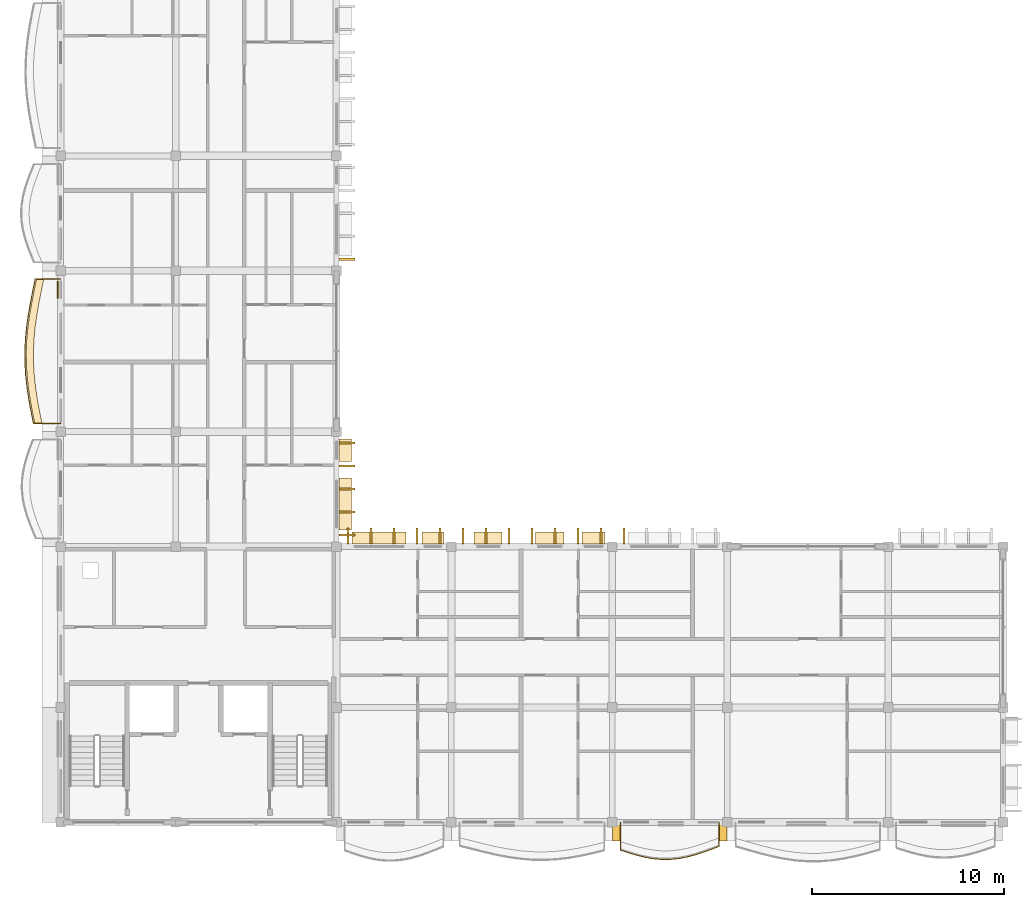
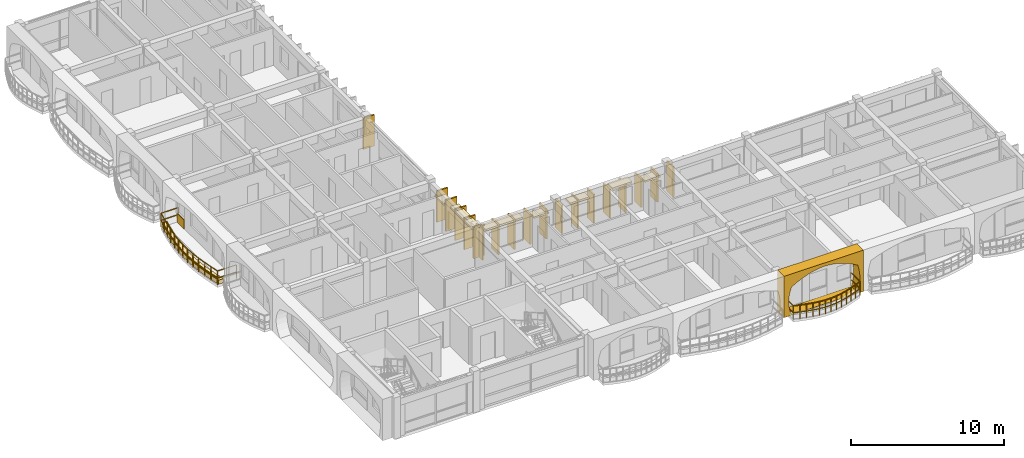
# One storey, part 49 of 68: 29 coverings, 2 railings.
"""IFC4 building model written with IfcOpenShell, lengths in metres."""

from ifc_helpers import new_model, si_unit, direction, frame, origin, origin_2d, place, context, subcontext, project, spatial, polyline, rectangle, outline, extrude, material, layer, layer_set, type_object, element, save


model = new_model("IFC4")

# Units and contexts
model_context = context("Model", 3, precision=1e-05, world=origin(), true_north=direction((0.0, 1.0)))
body_context = subcontext(model_context, "Body", "Model", "MODEL_VIEW")
ifc_project = project(units=[si_unit("LENGTHUNIT", "METRE"), si_unit("AREAUNIT", "SQUARE_METRE"), si_unit("VOLUMEUNIT", "CUBIC_METRE"), si_unit("PLANEANGLEUNIT", "RADIAN"), si_unit("MASSUNIT", "GRAM", prefix="KILO"), si_unit("THERMODYNAMICTEMPERATUREUNIT", "KELVIN")], contexts=[model_context])

# Site, building, storey
site_placement = place(None, origin())
site = spatial("IfcSite", under=ifc_project, at=site_placement, CompositionType="ELEMENT")
building_placement = place(site_placement, origin())
building = spatial("IfcBuilding", under=site, at=building_placement, Name="Thalorik Housing Commons", CompositionType="ELEMENT")
storey_placement = place(building_placement, frame((0.0, 0.0, 24.60009765625)))
storey = spatial("IfcBuildingStorey", under=building, at=storey_placement, Name="L07", CompositionType="ELEMENT", Elevation=24.60009765625)

# Coverings
ifc_material_1 = material(Name="Cobalt blue glazed ceramic facade tile panel", Category="masonry")
ifc_layer_1 = layer(ifc_material_1, 0.06005859375, Name="Cobalt blue glazed ceramic facade tile panel", Category="masonry")
ifc_layer_set_1 = layer_set([ifc_layer_1], Name="Cobalt blue glazed ceramic facade tile panel")
covering_type_1 = type_object("IfcCoveringType", Name="ARC-CLD-BLU-60", PredefinedType="CLADDING", material=ifc_layer_set_1)
covering_1_placement = place(storey_placement, frame((8.242431640625, 36.2099609375, 0.0498046875), z_axis=(0.0, 0.0, 1.0), x_axis=(0.0, -1.0, 0.0)))
element("IfcCovering", 1, at=covering_1_placement, inside=storey, type_object=covering_type_1, Name="L07 De Stijl Recessed Window Spandrel 4205", PredefinedType="CLADDING", context=body_context, shape_type="SweptSolid", body=[
    extrude(rectangle(XDim=0.89990234375, YDim=0.06005859375, at=origin_2d()), origin(), (0.0, 0.0, 1.0), 0.699951171875),
])
ifc_material_2 = material(Name="Precast concrete C40/50", Category="concrete")
ifc_layer_2 = layer(ifc_material_2, 0.85009765625, Name="Precast concrete C40/50", Category="concrete")
ifc_layer_set_2 = layer_set([ifc_layer_2], Name="Precast concrete C40/50")
covering_type_2 = type_object("IfcCoveringType", Name="ARC-CLD-CUSH-850", PredefinedType="CLADDING", material=ifc_layer_set_2)
covering_2_placement = place(storey_placement, frame((40.199951171875, 7.8525390625, 0.0), z_axis=(0.0, 0.0, 1.0), x_axis=(1.0, 0.0, 0.0)))
element("IfcCovering", 2, at=covering_2_placement, inside=storey, type_object=covering_type_2, Name="L07 White Precast Curved Cushion Bay Frame 4216", PredefinedType="CLADDING", context=body_context, shape_type="SweptSolid", body=[
    extrude(outline(polyline([(-3.0, 0.0), (3.0, 0.0), (3.0, 3.300048828125), (-3.0, 3.300048828125), (-3.0, 0.0)]), holes=[polyline([(2.574951171875, 0.02490234375), (2.664794921875, 0.394287109375), (2.718505859375, 0.76318359375), (2.736572265625, 1.132568359375), (2.718505859375, 1.501708984375), (2.664794921875, 1.870849609375), (2.574951171875, 2.239990234375), (2.157958984375, 2.4833984375), (1.74072265625, 2.6748046875), (1.32373046875, 2.82958984375), (0.90673828125, 2.94482421875), (0.489501953125, 3.01611328125), (0.072509765625, 3.0400390625), (-0.344482421875, 3.01611328125), (-0.76171875, 2.94482421875), (-1.1787109375, 2.82958984375), (-1.595703125, 2.6748046875), (-2.012939453125, 2.4833984375), (-2.429931640625, 2.239990234375), (-2.55029296875, 1.870849609375), (-2.62255859375, 1.501708984375), (-2.646484375, 1.132568359375), (-2.62255859375, 0.76318359375), (-2.55029296875, 0.394287109375), (-2.429931640625, 0.02490234375), (2.574951171875, 0.02490234375)])]), frame((0.0, 0.425048828125, 0.0), z_axis=(0.0, -1.0, 0.0), x_axis=(1.0, 0.0, 0.0)), (0.0, 0.0, 1.0), 0.85009765625),
])
ifc_layer_3 = layer(ifc_material_2, 0.85009765625, Name="Precast concrete C40/50", Category="concrete")
ifc_layer_set_3 = layer_set([ifc_layer_3], Name="Precast concrete C40/50")
covering_type_3 = type_object("IfcCoveringType", Name="ARC-CLD-FIN-850", PredefinedType="CLADDING", material=ifc_layer_set_3)
for number, where, z_axis, x_axis, name in (
    (3, (23.347412109375, 23.39990234375, 0.039794921875), (0.0, 0.0, 1.0), (0.0, 1.0, 0.0), "L07 Courtyard Precast Vertical Brise-Soleil Fin 4157"),
    (4, (23.347412109375, 24.60009765625, 0.039794921875), (0.0, 0.0, 1.0), (0.0, 1.0, 0.0), "L07 Courtyard Precast Vertical Brise-Soleil Fin 4158"),
    (5, (23.347412109375, 25.800048828125, 0.039794921875), (0.0, 0.0, 1.0), (0.0, 1.0, 0.0), "L07 Courtyard Precast Vertical Brise-Soleil Fin 4159"),
    (6, (23.347412109375, 27.0, 0.039794921875), (0.0, 0.0, 1.0), (0.0, 1.0, 0.0), "L07 Courtyard Precast Vertical Brise-Soleil Fin 4160"),
    (7, (23.347412109375, 28.199951171875, 0.039794921875), (0.0, 0.0, 1.0), (0.0, 1.0, 0.0), "L07 Courtyard Precast Vertical Brise-Soleil Fin 4161"),
    (8, (23.347412109375, 37.800048828125, 0.039794921875), (0.0, 0.0, 1.0), (0.0, 1.0, 0.0), "L07 Courtyard Precast Vertical Brise-Soleil Fin 4164"),
):
    element("IfcCovering", number, at=place(storey_placement, frame(where, z_axis=z_axis, x_axis=x_axis)), inside=storey, type_object=covering_type_3, Name=name, PredefinedType="CLADDING", context=body_context, shape_type="SweptSolid", body=[
        extrude(rectangle(XDim=0.110107421875, YDim=0.85009765625, at=origin_2d()), origin(), (0.0, 0.0, 1.0), 2.4951171875),
    ])
covering_3_placement = place(storey_placement, frame((37.800048828125, 23.347412109375, 0.039794921875), z_axis=(0.0, 0.0, 1.0), x_axis=(-1.0, 0.0, 0.0)))
element("IfcCovering", 9, at=covering_3_placement, inside=storey, type_object=covering_type_3, Name="L07 Courtyard Precast Vertical Brise-Soleil Fin 4240", PredefinedType="CLADDING", context=body_context, shape_type="SweptSolid", body=[
    extrude(rectangle(XDim=0.110107421875, YDim=0.85009765625, at=origin_2d()), origin(), (0.0, 0.0, 1.0), 2.39501953125),
])
for number, where, z_axis, x_axis, name in (
    (10, (36.60009765625, 23.347412109375, 0.0400390625), (0.0, 0.0, 1.0), (-1.0, 0.0, 0.0), "L07 Courtyard Precast Vertical Brise-Soleil Fin 4243"),
    (11, (35.39990234375, 23.347412109375, 0.0400390625), (0.0, 0.0, 1.0), (-1.0, 0.0, 0.0), "L07 Courtyard Precast Vertical Brise-Soleil Fin 4244"),
    (12, (34.199951171875, 23.347412109375, 0.0400390625), (0.0, 0.0, 1.0), (-1.0, 0.0, 0.0), "L07 Courtyard Precast Vertical Brise-Soleil Fin 4245"),
    (13, (33.0, 23.347412109375, 0.0400390625), (0.0, 0.0, 1.0), (-1.0, 0.0, 0.0), "L07 Courtyard Precast Vertical Brise-Soleil Fin 4246"),
    (14, (31.800048828125, 23.347412109375, 0.0400390625), (0.0, 0.0, 1.0), (-1.0, 0.0, 0.0), "L07 Courtyard Precast Vertical Brise-Soleil Fin 4247"),
    (15, (30.60009765625, 23.347412109375, 0.0400390625), (0.0, 0.0, 1.0), (-1.0, 0.0, 0.0), "L07 Courtyard Precast Vertical Brise-Soleil Fin 4248"),
    (16, (29.39990234375, 23.347412109375, 0.0400390625), (0.0, 0.0, 1.0), (-1.0, 0.0, 0.0), "L07 Courtyard Precast Vertical Brise-Soleil Fin 4249"),
):
    element("IfcCovering", number, at=place(storey_placement, frame(where, z_axis=z_axis, x_axis=x_axis)), inside=storey, type_object=covering_type_3, Name=name, PredefinedType="CLADDING", context=body_context, shape_type="SweptSolid", body=[
        extrude(rectangle(XDim=0.110107421875, YDim=0.85009765625, at=origin_2d()), origin(), (0.0, 0.0, 1.0), 2.294921875),
    ])
for number, where, z_axis, x_axis, name in (
    (17, (28.199951171875, 23.347412109375, 0.039794921875), (0.0, 0.0, 1.0), (-1.0, 0.0, 0.0), "L07 Courtyard Precast Vertical Brise-Soleil Fin 4253"),
    (18, (27.0, 23.347412109375, 0.039794921875), (0.0, 0.0, 1.0), (-1.0, 0.0, 0.0), "L07 Courtyard Precast Vertical Brise-Soleil Fin 4254"),
    (19, (25.800048828125, 23.347412109375, 0.039794921875), (0.0, 0.0, 1.0), (-1.0, 0.0, 0.0), "L07 Courtyard Precast Vertical Brise-Soleil Fin 4255"),
    (20, (24.60009765625, 23.347412109375, 0.039794921875), (0.0, 0.0, 1.0), (-1.0, 0.0, 0.0), "L07 Courtyard Precast Vertical Brise-Soleil Fin 4256"),
    (21, (23.39990234375, 23.347412109375, 0.039794921875), (0.0, 0.0, 1.0), (-1.0, 0.0, 0.0), "L07 Courtyard Precast Vertical Brise-Soleil Fin 4257"),
):
    element("IfcCovering", number, at=place(storey_placement, frame(where, z_axis=z_axis, x_axis=x_axis)), inside=storey, type_object=covering_type_3, Name=name, PredefinedType="CLADDING", context=body_context, shape_type="SweptSolid", body=[
        extrude(rectangle(XDim=0.110107421875, YDim=0.85009765625, at=origin_2d()), origin(), (0.0, 0.0, 1.0), 2.39501953125),
    ])
ifc_layer_4 = layer(ifc_material_2, 0.64990234375, Name="Precast concrete C40/50", Category="concrete")
ifc_layer_set_4 = layer_set([ifc_layer_4], Name="Precast concrete C40/50")
covering_type_4 = type_object("IfcCoveringType", Name="ARC-CLD-HOOD-650", PredefinedType="CLADDING", material=ifc_layer_set_4)
covering_4_placement = place(storey_placement, frame((23.24755859375, 25.019775390625, 2.25), z_axis=(0.0, 0.0, 1.0), x_axis=(0.0, 1.0, 0.0)))
element("IfcCovering", 22, at=covering_4_placement, inside=storey, type_object=covering_type_4, Name="L07 Courtyard Precast Window Sun-Hood 4162", PredefinedType="CLADDING", context=body_context, shape_type="SweptSolid", body=[
    extrude(rectangle(XDim=2.719970703125, YDim=0.64990234375, at=origin_2d()), origin(), (0.0, 0.0, 1.0), 0.139892578125),
])
for number, where, z_axis, x_axis, name in (
    (23, (23.24755859375, 27.829833984375, 1.93994140625), (0.0, 0.0, 1.0), (0.0, 1.0, 0.0), "L07 Courtyard Precast Window Sun-Hood 4163"),
    (24, (36.220458984375, 23.24755859375, 1.93994140625), (0.0, 0.0, 1.0), (-1.0, 0.0, 0.0), "L07 Courtyard Precast Window Sun-Hood 4250"),
):
    element("IfcCovering", number, at=place(storey_placement, frame(where, z_axis=z_axis, x_axis=x_axis)), inside=storey, type_object=covering_type_4, Name=name, PredefinedType="CLADDING", context=body_context, shape_type="SweptSolid", body=[
        extrude(rectangle(XDim=1.18994140625, YDim=0.64990234375, at=origin_2d()), origin(), (0.0, 0.0, 1.0), 0.139892578125),
    ])
covering_5_placement = place(storey_placement, frame((33.930419921875, 23.24755859375, 2.22509765625), z_axis=(0.0, 0.0, 1.0), x_axis=(-1.0, 0.0, 0.0)))
element("IfcCovering", 25, at=covering_5_placement, inside=storey, type_object=covering_type_4, Name="L07 Courtyard Precast Window Sun-Hood 4251", PredefinedType="CLADDING", context=body_context, shape_type="SweptSolid", body=[
    extrude(rectangle(XDim=1.489990234375, YDim=0.64990234375, at=origin_2d()), origin(), (0.0, 0.0, 1.0), 0.139892578125),
])
covering_6_placement = place(storey_placement, frame((30.7099609375, 23.24755859375, 2.14013671875), z_axis=(0.0, 0.0, 1.0), x_axis=(-1.0, 0.0, 0.0)))
element("IfcCovering", 26, at=covering_6_placement, inside=storey, type_object=covering_type_4, Name="L07 Courtyard Precast Window Sun-Hood 4252", PredefinedType="CLADDING", context=body_context, shape_type="SweptSolid", body=[
    extrude(rectangle(XDim=1.43994140625, YDim=0.64990234375, at=origin_2d()), origin(), (0.0, 0.0, 1.0), 0.139892578125),
])
covering_7_placement = place(storey_placement, frame((27.829833984375, 23.24755859375, 1.98974609375), z_axis=(0.0, 0.0, 1.0), x_axis=(-1.0, 0.0, 0.0)))
element("IfcCovering", 27, at=covering_7_placement, inside=storey, type_object=covering_type_4, Name="L07 Courtyard Precast Window Sun-Hood 4258", PredefinedType="CLADDING", context=body_context, shape_type="SweptSolid", body=[
    extrude(rectangle(XDim=1.139892578125, YDim=0.64990234375, at=origin_2d()), origin(), (0.0, 0.0, 1.0), 0.139892578125),
])
covering_8_placement = place(storey_placement, frame((25.019775390625, 23.24755859375, 2.27001953125), z_axis=(0.0, 0.0, 1.0), x_axis=(-1.0, 0.0, 0.0)))
element("IfcCovering", 28, at=covering_8_placement, inside=storey, type_object=covering_type_4, Name="L07 Courtyard Precast Window Sun-Hood 4259", PredefinedType="CLADDING", context=body_context, shape_type="SweptSolid", body=[
    extrude(rectangle(XDim=2.820068359375, YDim=0.64990234375, at=origin_2d()), origin(), (0.0, 0.0, 1.0), 0.139892578125),
])
ifc_material_3 = material(Name="Planted vegetated substrate and terracotta trough", Category="masonry")
ifc_layer_5 = layer(ifc_material_3, 0.340087890625, Name="Planted vegetated substrate and terracotta trough", Category="masonry")
ifc_layer_set_5 = layer_set([ifc_layer_5], Name="Planted vegetated substrate and terracotta trough")
covering_type_5 = type_object("IfcCoveringType", Name="ARC-COV-PLANTER", PredefinedType="USERDEFINED", material=ifc_layer_set_5)
covering_9_placement = place(storey_placement, origin())
element("IfcCovering", 29, at=covering_9_placement, inside=storey, type_object=covering_type_5, Name="L07 Balcony Slab-Edge Planted Trough 5618", ObjectType="PLANTER", PredefinedType="USERDEFINED", context=body_context, shape_type="SweptSolid", body=[
    extrude(outline(polyline([(7.1376953125, 36.780029296875), (7.0087890625, 36.14990234375), (6.885498046875, 35.52001953125), (6.7763671875, 34.889892578125), (6.6884765625, 34.260009765625), (6.6279296875, 33.6298828125), (6.598876953125, 33.0), (6.603271484375, 32.3701171875), (6.640869140625, 31.739990234375), (6.70947265625, 31.110107421875), (6.80419921875, 30.47998046875), (6.91943359375, 29.85009765625), (7.047119140625, 29.219970703125), (7.427001953125, 29.219970703125), (7.29931640625, 29.85009765625), (7.184326171875, 30.47998046875), (7.08935546875, 31.110107421875), (7.02099609375, 31.739990234375), (6.9833984375, 32.3701171875), (6.97900390625, 33.0), (7.008056640625, 33.6298828125), (7.068603515625, 34.260009765625), (7.15625, 34.889892578125), (7.265380859375, 35.52001953125), (7.388671875, 36.14990234375), (7.517822265625, 36.780029296875), (7.1376953125, 36.780029296875)])), origin(), (0.0, 0.0, 1.0), 0.33984375),
])

# Railings
ifc_material_4 = material(Name="Steel S355", Category="steel")
railing_type = type_object("IfcRailingType", Name="ARC-RL-BAL-112", PredefinedType="BALUSTRADE", material=ifc_material_4)
railing_1_placement = place(storey_placement, frame((8.39990234375, 36.780029296875, 0.0)))
element("IfcRailing", 30, at=railing_1_placement, inside=storey, type_object=railing_type, Name="L07 Cushion Balcony Guardrail 302", PredefinedType="BALUSTRADE", context=body_context, shape_type="SweptSolid", body=[
    extrude(rectangle(XDim=0.050048828125, YDim=0.050048828125, at=origin_2d()), frame((0.0, 0.0, 1.09521484375), z_axis=(-1.0, 0.0, 0.0), x_axis=(0.0, -1.0, 0.0)), (0.0, 0.0, 1.0), 1.33203125),
    extrude(rectangle(XDim=0.050048828125, YDim=0.050048828125, at=origin_2d()), frame((0.0, 0.0, 0.53515625), z_axis=(-1.0, 0.0, 0.0), x_axis=(0.0, -1.0, 0.0)), (0.0, 0.0, 1.0), 1.33203125),
    extrude(rectangle(XDim=0.050048828125, YDim=0.050048828125, at=origin_2d()), frame((-1.33203125, 0.0, 1.09521484375), z_axis=(-0.200785373927, -0.979635255397, 0.0), x_axis=(0.979635255397, -0.200785373927, 0.0)), (0.0, 0.0, 1.0), 0.643310546875),
    extrude(rectangle(XDim=0.050048828125, YDim=0.050048828125, at=origin_2d()), frame((-1.33203125, 0.0, 0.53515625), z_axis=(-0.200785373927, -0.979635255397, 0.0), x_axis=(0.979635255397, -0.200785373927, 0.0)), (0.0, 0.0, 1.0), 0.643310546875),
    extrude(rectangle(XDim=0.050048828125, YDim=0.050048828125, at=origin_2d()), frame((-1.461181640625, -0.630126953125, 1.09521484375), z_axis=(-0.192091248087, -0.981377069433, 0.0), x_axis=(0.981377069433, -0.192091248087, 0.0)), (0.0, 0.0, 1.0), 0.641845703125),
    extrude(rectangle(XDim=0.050048828125, YDim=0.050048828125, at=origin_2d()), frame((-1.461181640625, -0.630126953125, 0.53515625), z_axis=(-0.192091248087, -0.981377069433, 0.0), x_axis=(0.981377069433, -0.192091248087, 0.0)), (0.0, 0.0, 1.0), 0.641845703125),
    extrude(rectangle(XDim=0.050048828125, YDim=0.050048828125, at=origin_2d()), frame((-1.58447265625, -1.260009765625, 1.09521484375), z_axis=(-0.170648353941, -0.985331994455, 0.0), x_axis=(0.985331994455, -0.170648353941, 0.0)), (0.0, 0.0, 1.0), 0.639404296875),
    extrude(rectangle(XDim=0.050048828125, YDim=0.050048828125, at=origin_2d()), frame((-1.58447265625, -1.260009765625, 0.53515625), z_axis=(-0.170648353941, -0.985331994455, 0.0), x_axis=(0.985331994455, -0.170648353941, 0.0)), (0.0, 0.0, 1.0), 0.639404296875),
    extrude(rectangle(XDim=0.050048828125, YDim=0.050048828125, at=origin_2d()), frame((-1.693603515625, -1.89013671875, 1.09521484375), z_axis=(-0.138196031911, -0.990404895365, 0.0), x_axis=(0.990404895365, -0.138196031911, 0.0)), (0.0, 0.0, 1.0), 0.635986328125),
    extrude(rectangle(XDim=0.050048828125, YDim=0.050048828125, at=origin_2d()), frame((-1.693603515625, -1.89013671875, 0.53515625), z_axis=(-0.138196031911, -0.990404895365, 0.0), x_axis=(0.990404895365, -0.138196031911, 0.0)), (0.0, 0.0, 1.0), 0.635986328125),
    extrude(rectangle(XDim=0.050048828125, YDim=0.050048828125, at=origin_2d()), frame((-1.781494140625, -2.52001953125, 1.09521484375), z_axis=(-0.095264103918, -0.995452033252, 0.0), x_axis=(0.995452033252, -0.095264103918, 0.0)), (0.0, 0.0, 1.0), 0.633056640625),
    extrude(rectangle(XDim=0.050048828125, YDim=0.050048828125, at=origin_2d()), frame((-1.781494140625, -2.52001953125, 0.53515625), z_axis=(-0.095264103918, -0.995452033252, 0.0), x_axis=(0.995452033252, -0.095264103918, 0.0)), (0.0, 0.0, 1.0), 0.633056640625),
    extrude(rectangle(XDim=0.050048828125, YDim=0.050048828125, at=origin_2d()), frame((-1.841796875, -3.150146484375, 1.09521484375), z_axis=(-0.046461399352, -0.998920086078, 0.0), x_axis=(0.998920086078, -0.046461399352, 0.0)), (0.0, 0.0, 1.0), 0.630615234375),
    extrude(rectangle(XDim=0.050048828125, YDim=0.050048828125, at=origin_2d()), frame((-1.841796875, -3.150146484375, 0.53515625), z_axis=(-0.046461399352, -0.998920086078, 0.0), x_axis=(0.998920086078, -0.046461399352, 0.0)), (0.0, 0.0, 1.0), 0.630615234375),
    extrude(rectangle(XDim=0.050048828125, YDim=0.050048828125, at=origin_2d()), frame((-1.87109375, -3.780029296875, 1.09521484375), z_axis=(0.006976574396, -0.999975663409, 0.0), x_axis=(0.999975663409, 0.006976574396, 0.0)), (0.0, 0.0, 1.0), 0.6298828125),
    extrude(rectangle(XDim=0.050048828125, YDim=0.050048828125, at=origin_2d()), frame((-1.87109375, -3.780029296875, 0.53515625), z_axis=(0.006976574396, -0.999975663409, 0.0), x_axis=(0.999975663409, 0.006976574396, 0.0)), (0.0, 0.0, 1.0), 0.6298828125),
    extrude(rectangle(XDim=0.050048828125, YDim=0.050048828125, at=origin_2d()), frame((-1.86669921875, -4.409912109375, 1.09521484375), z_axis=(0.059560867898, -0.998224675619, 0.0), x_axis=(0.998224675619, 0.059560867898, 0.0)), (0.0, 0.0, 1.0), 0.63134765625),
    extrude(rectangle(XDim=0.050048828125, YDim=0.050048828125, at=origin_2d()), frame((-1.86669921875, -4.409912109375, 0.53515625), z_axis=(0.059560867898, -0.998224675619, 0.0), x_axis=(0.998224675619, 0.059560867898, 0.0)), (0.0, 0.0, 1.0), 0.63134765625),
    extrude(rectangle(XDim=0.050048828125, YDim=0.050048828125, at=origin_2d()), frame((-1.8291015625, -5.0400390625, 1.09521484375), z_axis=(0.108274423732, -0.994121043518, 0.0), x_axis=(0.994121043518, 0.108274423732, 0.0)), (0.0, 0.0, 1.0), 0.633544921875),
    extrude(rectangle(XDim=0.050048828125, YDim=0.050048828125, at=origin_2d()), frame((-1.8291015625, -5.0400390625, 0.53515625), z_axis=(0.108274423732, -0.994121043518, 0.0), x_axis=(0.994121043518, 0.108274423732, 0.0)), (0.0, 0.0, 1.0), 0.633544921875),
    extrude(rectangle(XDim=0.050048828125, YDim=0.050048828125, at=origin_2d()), frame((-1.760498046875, -5.669921875, 1.09521484375), z_axis=(0.149033591629, -0.988832133664, 0.0), x_axis=(0.988832133664, 0.149033591629, 0.0)), (0.0, 0.0, 1.0), 0.63720703125),
    extrude(rectangle(XDim=0.050048828125, YDim=0.050048828125, at=origin_2d()), frame((-1.760498046875, -5.669921875, 0.53515625), z_axis=(0.149033591629, -0.988832133664, 0.0), x_axis=(0.988832133664, 0.149033591629, 0.0)), (0.0, 0.0, 1.0), 0.63720703125),
    extrude(rectangle(XDim=0.050048828125, YDim=0.050048828125, at=origin_2d()), frame((-1.66552734375, -6.300048828125, 1.09521484375), z_axis=(0.1795900258, -0.983741542598, 0.0), x_axis=(0.983741542598, 0.1795900258, 0.0)), (0.0, 0.0, 1.0), 0.640380859375),
    extrude(rectangle(XDim=0.050048828125, YDim=0.050048828125, at=origin_2d()), frame((-1.66552734375, -6.300048828125, 0.53515625), z_axis=(0.1795900258, -0.983741542598, 0.0), x_axis=(0.983741542598, 0.1795900258, 0.0)), (0.0, 0.0, 1.0), 0.640380859375),
    extrude(rectangle(XDim=0.050048828125, YDim=0.050048828125, at=origin_2d()), frame((-1.550537109375, -6.929931640625, 1.09521484375), z_axis=(0.198598350989, -0.980080963484, 0.0), x_axis=(0.980080963484, 0.198598350989, 0.0)), (0.0, 0.0, 1.0), 0.642822265625),
    extrude(rectangle(XDim=0.050048828125, YDim=0.050048828125, at=origin_2d()), frame((-1.550537109375, -6.929931640625, 0.53515625), z_axis=(0.198598350989, -0.980080963484, 0.0), x_axis=(0.980080963484, 0.198598350989, 0.0)), (0.0, 0.0, 1.0), 0.642822265625),
    extrude(rectangle(XDim=0.050048828125, YDim=0.050048828125, at=origin_2d()), frame((-1.4228515625, -7.56005859375, 1.09521484375), z_axis=(1.0, 0.0, 0.0), x_axis=(0.0, 1.0, 0.0)), (0.0, 0.0, 1.0), 1.4228515625),
    extrude(rectangle(XDim=0.050048828125, YDim=0.050048828125, at=origin_2d()), frame((-1.4228515625, -7.56005859375, 0.53515625), z_axis=(1.0, 0.0, 0.0), x_axis=(0.0, 1.0, 0.0)), (0.0, 0.0, 1.0), 1.4228515625),
    extrude(rectangle(XDim=0.0419921875, YDim=0.0419921875, at=origin_2d()), origin(), (0.0, 0.0, 1.0), 1.070068359375),
    extrude(rectangle(XDim=0.0419921875, YDim=0.0419921875, at=origin_2d()), frame((-1.33203125, 0.0, 0.0)), (0.0, 0.0, 1.0), 1.070068359375),
    extrude(rectangle(XDim=0.0419921875, YDim=0.0419921875, at=origin_2d()), frame((-1.461181640625, -0.630126953125, 0.0)), (0.0, 0.0, 1.0), 1.070068359375),
    extrude(rectangle(XDim=0.0419921875, YDim=0.0419921875, at=origin_2d()), frame((-1.58447265625, -1.260009765625, 0.0)), (0.0, 0.0, 1.0), 1.070068359375),
    extrude(rectangle(XDim=0.0419921875, YDim=0.0419921875, at=origin_2d()), frame((-1.693603515625, -1.89013671875, 0.0)), (0.0, 0.0, 1.0), 1.070068359375),
    extrude(rectangle(XDim=0.0419921875, YDim=0.0419921875, at=origin_2d()), frame((-1.781494140625, -2.52001953125, 0.0)), (0.0, 0.0, 1.0), 1.070068359375),
    extrude(rectangle(XDim=0.0419921875, YDim=0.0419921875, at=origin_2d()), frame((-1.841796875, -3.150146484375, 0.0)), (0.0, 0.0, 1.0), 1.070068359375),
    extrude(rectangle(XDim=0.0419921875, YDim=0.0419921875, at=origin_2d()), frame((-1.87109375, -3.780029296875, 0.0)), (0.0, 0.0, 1.0), 1.070068359375),
    extrude(rectangle(XDim=0.0419921875, YDim=0.0419921875, at=origin_2d()), frame((-1.86669921875, -4.409912109375, 0.0)), (0.0, 0.0, 1.0), 1.070068359375),
    extrude(rectangle(XDim=0.0419921875, YDim=0.0419921875, at=origin_2d()), frame((-1.8291015625, -5.0400390625, 0.0)), (0.0, 0.0, 1.0), 1.070068359375),
    extrude(rectangle(XDim=0.0419921875, YDim=0.0419921875, at=origin_2d()), frame((-1.760498046875, -5.669921875, 0.0)), (0.0, 0.0, 1.0), 1.070068359375),
    extrude(rectangle(XDim=0.0419921875, YDim=0.0419921875, at=origin_2d()), frame((-1.66552734375, -6.300048828125, 0.0)), (0.0, 0.0, 1.0), 1.070068359375),
    extrude(rectangle(XDim=0.0419921875, YDim=0.0419921875, at=origin_2d()), frame((-1.550537109375, -6.929931640625, 0.0)), (0.0, 0.0, 1.0), 1.070068359375),
    extrude(rectangle(XDim=0.0419921875, YDim=0.0419921875, at=origin_2d()), frame((-1.4228515625, -7.56005859375, 0.0)), (0.0, 0.0, 1.0), 1.070068359375),
    extrude(rectangle(XDim=0.0419921875, YDim=0.0419921875, at=origin_2d()), frame((0.0, -7.56005859375, 0.0)), (0.0, 0.0, 1.0), 1.070068359375),
])
railing_2_placement = place(storey_placement, frame((37.6201171875, 8.39990234375, 0.0)))
element("IfcRailing", 31, at=railing_2_placement, inside=storey, type_object=railing_type, Name="L07 Cushion Balcony Guardrail 308", PredefinedType="BALUSTRADE", context=body_context, shape_type="SweptSolid", body=[
    extrude(rectangle(XDim=0.050048828125, YDim=0.050048828125, at=origin_2d()), frame((0.0, 0.0, 1.09521484375), z_axis=(0.0, -1.0, 0.0), x_axis=(1.0, 0.0, 0.0)), (0.0, 0.0, 1.0), 1.448486328125),
    extrude(rectangle(XDim=0.050048828125, YDim=0.050048828125, at=origin_2d()), frame((0.0, 0.0, 0.53515625), z_axis=(0.0, -1.0, 0.0), x_axis=(1.0, 0.0, 0.0)), (0.0, 0.0, 1.0), 1.448486328125),
    extrude(rectangle(XDim=0.050048828125, YDim=0.050048828125, at=origin_2d()), frame((0.0, -1.448486328125, 1.09521484375), z_axis=(0.950449331157, -0.310879508658, 0.0), x_axis=(0.310879508658, 0.950449331157, 0.0)), (0.0, 0.0, 1.0), 0.452392578125),
    extrude(rectangle(XDim=0.050048828125, YDim=0.050048828125, at=origin_2d()), frame((0.0, -1.448486328125, 0.53515625), z_axis=(0.950449331157, -0.310879508658, 0.0), x_axis=(0.310879508658, 0.950449331157, 0.0)), (0.0, 0.0, 1.0), 0.452392578125),
    extrude(rectangle(XDim=0.050048828125, YDim=0.050048828125, at=origin_2d()), frame((0.429931640625, -1.589111328125, 1.09521484375), z_axis=(0.958765151286, -0.284199550807, 0.0), x_axis=(0.284199550807, 0.958765151286, 0.0)), (0.0, 0.0, 1.0), 0.448486328125),
    extrude(rectangle(XDim=0.050048828125, YDim=0.050048828125, at=origin_2d()), frame((0.429931640625, -1.589111328125, 0.53515625), z_axis=(0.958765151286, -0.284199550807, 0.0), x_axis=(0.284199550807, 0.958765151286, 0.0)), (0.0, 0.0, 1.0), 0.448486328125),
    extrude(rectangle(XDim=0.050048828125, YDim=0.050048828125, at=origin_2d()), frame((0.85986328125, -1.716552734375, 1.09521484375), z_axis=(0.971331111788, -0.237730669609, 0.0), x_axis=(0.237730669609, 0.971331111788, 0.0)), (0.0, 0.0, 1.0), 0.442626953125),
    extrude(rectangle(XDim=0.050048828125, YDim=0.050048828125, at=origin_2d()), frame((0.85986328125, -1.716552734375, 0.53515625), z_axis=(0.971331111788, -0.237730669609, 0.0), x_axis=(0.237730669609, 0.971331111788, 0.0)), (0.0, 0.0, 1.0), 0.442626953125),
    extrude(rectangle(XDim=0.050048828125, YDim=0.050048828125, at=origin_2d()), frame((1.289794921875, -1.82177734375, 1.09521484375), z_axis=(0.985158360438, -0.171647909566, 0.0), x_axis=(0.171647909566, 0.985158360438, 0.0)), (0.0, 0.0, 1.0), 0.436767578125),
    extrude(rectangle(XDim=0.050048828125, YDim=0.050048828125, at=origin_2d()), frame((1.289794921875, -1.82177734375, 0.53515625), z_axis=(0.985158360438, -0.171647909566, 0.0), x_axis=(0.171647909566, 0.985158360438, 0.0)), (0.0, 0.0, 1.0), 0.436767578125),
    extrude(rectangle(XDim=0.050048828125, YDim=0.050048828125, at=origin_2d()), frame((1.719970703125, -1.896728515625, 1.09521484375), z_axis=(0.995897840652, -0.090484755539, 0.0), x_axis=(0.090484755539, 0.995897840652, 0.0)), (0.0, 0.0, 1.0), 0.431640625),
    extrude(rectangle(XDim=0.050048828125, YDim=0.050048828125, at=origin_2d()), frame((1.719970703125, -1.896728515625, 0.53515625), z_axis=(0.995897840652, -0.090484755539, 0.0), x_axis=(0.090484755539, 0.995897840652, 0.0)), (0.0, 0.0, 1.0), 0.431640625),
    extrude(rectangle(XDim=0.050048828125, YDim=0.050048828125, at=origin_2d()), frame((2.14990234375, -1.935791015625, 1.09521484375), z_axis=(0.999999355073, 0.001135717609, 0.0), x_axis=(-0.001135717609, 0.999999355073, 0.0)), (0.0, 0.0, 1.0), 0.429931640625),
    extrude(rectangle(XDim=0.050048828125, YDim=0.050048828125, at=origin_2d()), frame((2.14990234375, -1.935791015625, 0.53515625), z_axis=(0.999999355073, 0.001135717609, 0.0), x_axis=(-0.001135717609, 0.999999355073, 0.0)), (0.0, 0.0, 1.0), 0.429931640625),
    extrude(rectangle(XDim=0.050048828125, YDim=0.050048828125, at=origin_2d()), frame((2.579833984375, -1.935302734375, 1.09521484375), z_axis=(0.995586482092, 0.093848583775, 0.0), x_axis=(-0.093848583775, 0.995586482092, 0.0)), (0.0, 0.0, 1.0), 0.431884765625),
    extrude(rectangle(XDim=0.050048828125, YDim=0.050048828125, at=origin_2d()), frame((2.579833984375, -1.935302734375, 0.53515625), z_axis=(0.995586482092, 0.093848583775, 0.0), x_axis=(-0.093848583775, 0.995586482092, 0.0)), (0.0, 0.0, 1.0), 0.431884765625),
    extrude(rectangle(XDim=0.050048828125, YDim=0.050048828125, at=origin_2d()), frame((3.009765625, -1.894775390625, 1.09521484375), z_axis=(0.983708724862, 0.179769698868, 0.0), x_axis=(-0.179769698868, 0.983708724862, 0.0)), (0.0, 0.0, 1.0), 0.437255859375),
    extrude(rectangle(XDim=0.050048828125, YDim=0.050048828125, at=origin_2d()), frame((3.009765625, -1.894775390625, 0.53515625), z_axis=(0.983708724862, 0.179769698868, 0.0), x_axis=(-0.179769698868, 0.983708724862, 0.0)), (0.0, 0.0, 1.0), 0.437255859375),
    extrude(rectangle(XDim=0.050048828125, YDim=0.050048828125, at=origin_2d()), frame((3.43994140625, -1.816162109375, 1.09521484375), z_axis=(0.967937525619, 0.251191055768, 0.0), x_axis=(-0.251191055768, 0.967937525619, 0.0)), (0.0, 0.0, 1.0), 0.444091796875),
    extrude(rectangle(XDim=0.050048828125, YDim=0.050048828125, at=origin_2d()), frame((3.43994140625, -1.816162109375, 0.53515625), z_axis=(0.967937525619, 0.251191055768, 0.0), x_axis=(-0.251191055768, 0.967937525619, 0.0)), (0.0, 0.0, 1.0), 0.444091796875),
    extrude(rectangle(XDim=0.050048828125, YDim=0.050048828125, at=origin_2d()), frame((3.869873046875, -1.70458984375, 1.09521484375), z_axis=(0.95219157684, 0.305501556453, 0.0), x_axis=(-0.305501556453, 0.95219157684, 0.0)), (0.0, 0.0, 1.0), 0.451416015625),
    extrude(rectangle(XDim=0.050048828125, YDim=0.050048828125, at=origin_2d()), frame((3.869873046875, -1.70458984375, 0.53515625), z_axis=(0.95219157684, 0.305501556453, 0.0), x_axis=(-0.305501556453, 0.95219157684, 0.0)), (0.0, 0.0, 1.0), 0.451416015625),
    extrude(rectangle(XDim=0.050048828125, YDim=0.050048828125, at=origin_2d()), frame((4.2998046875, -1.566650390625, 1.09521484375), z_axis=(0.940771648528, 0.339040860849, 0.0), x_axis=(-0.339040860849, 0.940771648528, 0.0)), (0.0, 0.0, 1.0), 0.457275390625),
    extrude(rectangle(XDim=0.050048828125, YDim=0.050048828125, at=origin_2d()), frame((4.2998046875, -1.566650390625, 0.53515625), z_axis=(0.940771648528, 0.339040860849, 0.0), x_axis=(-0.339040860849, 0.940771648528, 0.0)), (0.0, 0.0, 1.0), 0.457275390625),
    extrude(rectangle(XDim=0.050048828125, YDim=0.050048828125, at=origin_2d()), frame((4.72998046875, -1.41162109375, 1.09521484375), z_axis=(0.936044897025, 0.351880591613, 0.0), x_axis=(-0.351880591613, 0.936044897025, 0.0)), (0.0, 0.0, 1.0), 0.459228515625),
    extrude(rectangle(XDim=0.050048828125, YDim=0.050048828125, at=origin_2d()), frame((4.72998046875, -1.41162109375, 0.53515625), z_axis=(0.936044897025, 0.351880591613, 0.0), x_axis=(-0.351880591613, 0.936044897025, 0.0)), (0.0, 0.0, 1.0), 0.459228515625),
    extrude(rectangle(XDim=0.050048828125, YDim=0.050048828125, at=origin_2d()), frame((5.159912109375, -1.25, 1.09521484375), z_axis=(0.0, 1.0, 0.0), x_axis=(-1.0, 0.0, 0.0)), (0.0, 0.0, 1.0), 1.25),
    extrude(rectangle(XDim=0.050048828125, YDim=0.050048828125, at=origin_2d()), frame((5.159912109375, -1.25, 0.53515625), z_axis=(0.0, 1.0, 0.0), x_axis=(-1.0, 0.0, 0.0)), (0.0, 0.0, 1.0), 1.25),
    extrude(rectangle(XDim=0.0419921875, YDim=0.0419921875, at=origin_2d()), origin(), (0.0, 0.0, 1.0), 1.070068359375),
    extrude(rectangle(XDim=0.0419921875, YDim=0.0419921875, at=origin_2d()), frame((0.0, -1.448486328125, 0.0)), (0.0, 0.0, 1.0), 1.070068359375),
    extrude(rectangle(XDim=0.0419921875, YDim=0.0419921875, at=origin_2d()), frame((0.429931640625, -1.589111328125, 0.0)), (0.0, 0.0, 1.0), 1.070068359375),
    extrude(rectangle(XDim=0.0419921875, YDim=0.0419921875, at=origin_2d()), frame((0.85986328125, -1.716552734375, 0.0)), (0.0, 0.0, 1.0), 1.070068359375),
    extrude(rectangle(XDim=0.0419921875, YDim=0.0419921875, at=origin_2d()), frame((1.289794921875, -1.82177734375, 0.0)), (0.0, 0.0, 1.0), 1.070068359375),
    extrude(rectangle(XDim=0.0419921875, YDim=0.0419921875, at=origin_2d()), frame((1.719970703125, -1.896728515625, 0.0)), (0.0, 0.0, 1.0), 1.070068359375),
    extrude(rectangle(XDim=0.0419921875, YDim=0.0419921875, at=origin_2d()), frame((2.14990234375, -1.935791015625, 0.0)), (0.0, 0.0, 1.0), 1.070068359375),
    extrude(rectangle(XDim=0.0419921875, YDim=0.0419921875, at=origin_2d()), frame((2.579833984375, -1.935302734375, 0.0)), (0.0, 0.0, 1.0), 1.070068359375),
    extrude(rectangle(XDim=0.0419921875, YDim=0.0419921875, at=origin_2d()), frame((3.009765625, -1.894775390625, 0.0)), (0.0, 0.0, 1.0), 1.070068359375),
    extrude(rectangle(XDim=0.0419921875, YDim=0.0419921875, at=origin_2d()), frame((3.43994140625, -1.816162109375, 0.0)), (0.0, 0.0, 1.0), 1.070068359375),
    extrude(rectangle(XDim=0.0419921875, YDim=0.0419921875, at=origin_2d()), frame((3.869873046875, -1.70458984375, 0.0)), (0.0, 0.0, 1.0), 1.070068359375),
    extrude(rectangle(XDim=0.0419921875, YDim=0.0419921875, at=origin_2d()), frame((4.2998046875, -1.566650390625, 0.0)), (0.0, 0.0, 1.0), 1.070068359375),
    extrude(rectangle(XDim=0.0419921875, YDim=0.0419921875, at=origin_2d()), frame((4.72998046875, -1.41162109375, 0.0)), (0.0, 0.0, 1.0), 1.070068359375),
    extrude(rectangle(XDim=0.0419921875, YDim=0.0419921875, at=origin_2d()), frame((5.159912109375, -1.25, 0.0)), (0.0, 0.0, 1.0), 1.070068359375),
    extrude(rectangle(XDim=0.0419921875, YDim=0.0419921875, at=origin_2d()), frame((5.159912109375, 0.0, 0.0)), (0.0, 0.0, 1.0), 1.070068359375),
])

save(model, "model.ifc")
